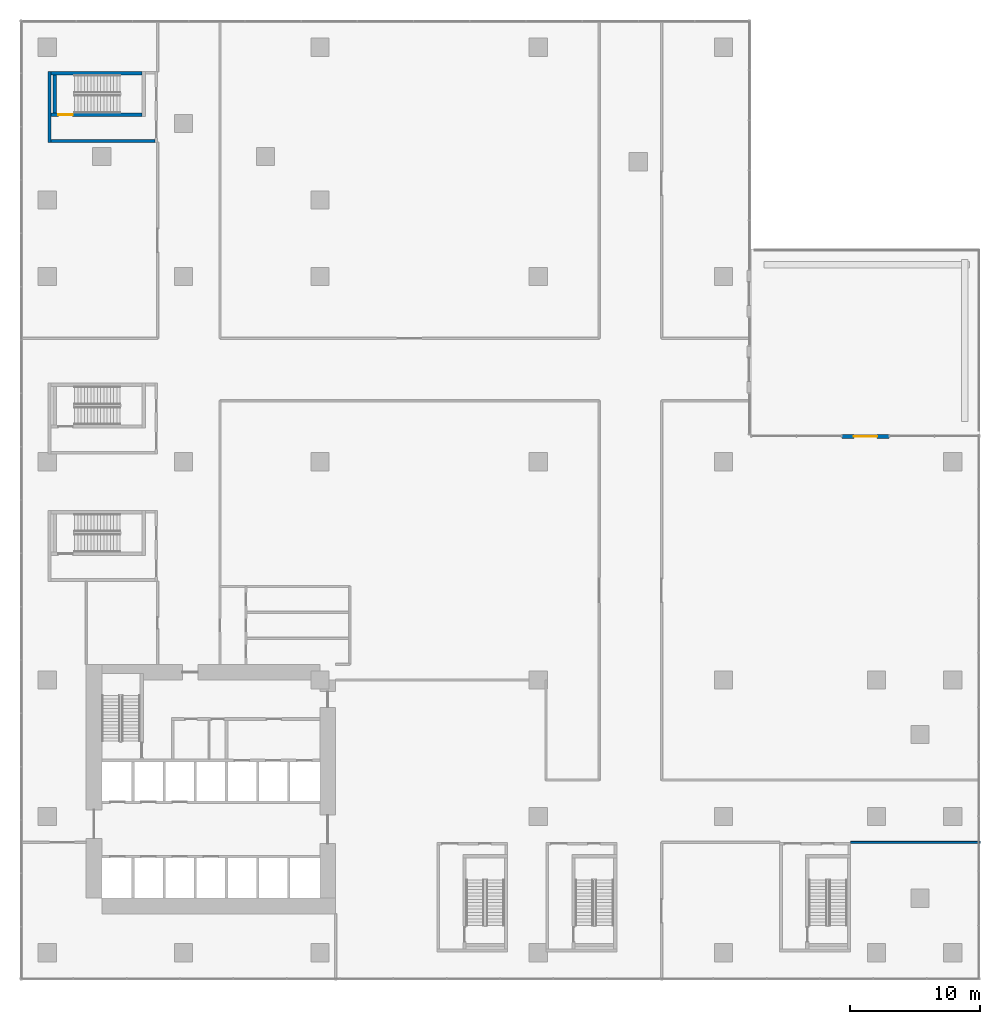
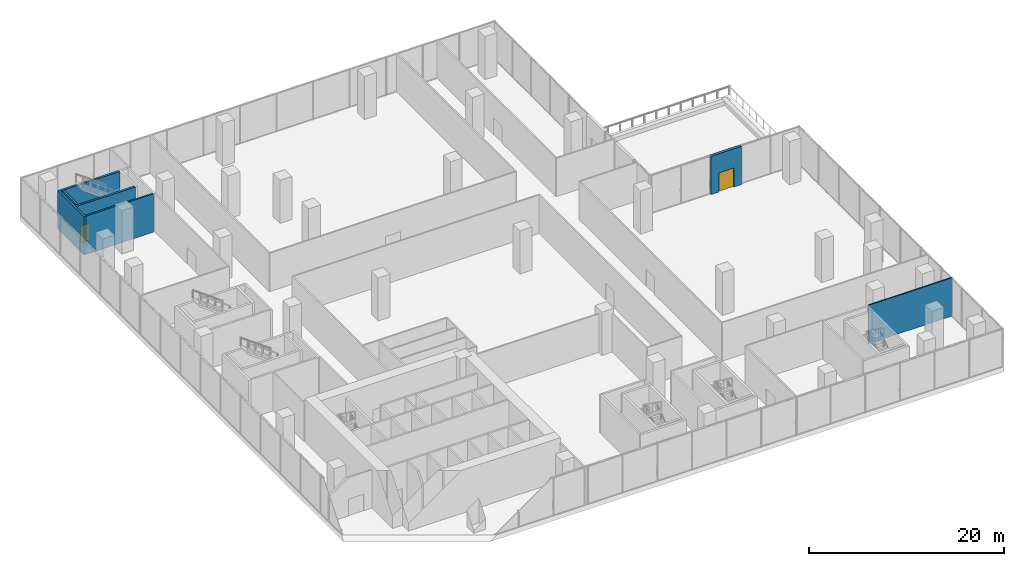
# One storey, part 16 of 23: 7 walls, 2 doors, 2 openings.
"""IFC4 building model written with IfcOpenShell, lengths in metres."""

from ifc_helpers import new_model, si_unit, direction, frame, frame_2d, origin, place, context, subcontext, project, spatial, rectangle, extrude, source, transform, mapped, material, layer, layer_set, type_object, element, fill, save


model = new_model("IFC4")

# Units and contexts
model_context = context("Model", 3, precision=1e-05, world=origin(), true_north=direction((0.0, 1.0)))
body_context = subcontext(model_context, "Body", "Model", "MODEL_VIEW")
ifc_project = project(units=[si_unit("LENGTHUNIT", "METRE"), si_unit("AREAUNIT", "SQUARE_METRE"), si_unit("VOLUMEUNIT", "CUBIC_METRE"), si_unit("PLANEANGLEUNIT", "RADIAN"), si_unit("MASSUNIT", "GRAM", prefix="KILO")], contexts=[model_context])

# Site, building, storey
site_placement = place(None, origin())
site = spatial("IfcSite", under=ifc_project, at=site_placement, CompositionType="ELEMENT")
building_placement = place(site_placement, origin())
building = spatial("IfcBuilding", under=site, at=building_placement, Name="Aurelian Terraces", CompositionType="ELEMENT")
storey_placement = place(building_placement, frame((0.0, 0.0, 23.7)))
storey = spatial("IfcBuildingStorey", under=building, at=storey_placement, Name="L04", CompositionType="ELEMENT", Elevation=23.7)

# Wall, opening, door
ifc_material_1 = material(Name="Terracotta rainscreen cladding", Category="masonry")
ifc_layer_1 = layer(ifc_material_1, 0.3)
ifc_layer_set_1 = layer_set([ifc_layer_1], Name="EW-300")
wall_type_1 = type_object("IfcWallType", Name="EW-300", PredefinedType="STANDARD", material=ifc_layer_set_1)
shared_shape_1 = source(origin(), body_context, "Body", "SweptSolid", [
    extrude(rectangle(XDim=3.6, YDim=0.3, at=frame_2d((1.8, 0.0))), origin(), (0.0, 0.0, 1.0), 4.8),
])
wall_1_placement = place(storey_placement, frame((64.8, 39.75, 0.0), z_axis=(0.0, 0.0, 1.0), x_axis=(-1.0, 0.0, 0.0)))
wall_1 = element("IfcWall", 1, at=wall_1_placement, inside=storey, type_object=wall_type_1, Name="Terrace wall L04 F03", PredefinedType="STANDARD", context=body_context, shape_type="MappedRepresentation", body=[
    mapped(shared_shape_1, transform((0.0, 0.0, 0.0), scale=1.0)),
])
shared_shape_2 = source(origin(), body_context, "Body", "SweptSolid", [
    extrude(rectangle(XDim=1.8, YDim=2.4, at=frame_2d((0.9, 1.2))), frame((0.0, 0.16, 0.0), z_axis=(0.0, -1.0, 0.0), x_axis=(1.0, 0.0, 0.0)), (0.0, 0.0, 1.0), 0.32),
])
opening_1_placement = place(wall_1_placement, frame((0.9, 0.0, 0.0)))
opening_1 = element("IfcOpeningElement", 2, at=opening_1_placement, cuts=wall_1, Name="Opening 80401", PredefinedType="OPENING", context=body_context, shape_type="MappedRepresentation", body=[
    mapped(shared_shape_2, transform((0.0, 0.0, 0.0), scale=1.0)),
])
ifc_material_2 = material(Name="Clear glazing", Category="glass")
door_type_1 = type_object("IfcDoorType", Name="BD-1800x2400", OperationType="SLIDING_TO_LEFT", PredefinedType="DOOR", material=ifc_material_2)
shared_shape_3 = source(origin(), body_context, "Body", "SweptSolid", [
    extrude(rectangle(XDim=1.8, YDim=2.4, at=frame_2d((0.9, 1.2))), frame((0.0, 0.025, 0.0), z_axis=(0.0, -1.0, 0.0), x_axis=(1.0, 0.0, 0.0)), (0.0, 0.0, 1.0), 0.05),
])
door_1_placement = place(opening_1_placement, origin())
door_1 = element("IfcDoor", 3, at=door_1_placement, inside=storey, type_object=door_type_1, Name="Terrace door L04 F03", OperationType="SLIDING_TO_LEFT", OverallHeight=2.4, OverallWidth=1.8, PredefinedType="DOOR", context=body_context, shape_type="MappedRepresentation", body=[
    mapped(shared_shape_3, transform((0.0, 0.0, 0.0), scale=1.0)),
])
fill(opening_1, door_1)

ifc_material_3 = material(Name="Concrete fc' 40 MPa", Category="concrete")
ifc_layer_2 = layer(ifc_material_3, 0.25)
ifc_layer_set_2 = layer_set([ifc_layer_2], Name="Stair enclosure wall 250")
wall_type_2 = type_object("IfcWallType", Name="Stair enclosure wall 250", PredefinedType="SOLIDWALL", material=ifc_layer_set_2)
shared_shape_4 = source(origin(), body_context, "Body", "SweptSolid", [
    extrude(rectangle(XDim=7.0, YDim=0.25, at=frame_2d((3.5, 0.0))), origin(), (0.0, 0.0, 1.0), 4.8),
])
wall_2_placement = place(storey_placement, frame((0.3, 64.525, 0.0), z_axis=(0.0, 0.0, 1.0), x_axis=(1.0, 0.0, 0.0)))
wall_2 = element("IfcWall", 4, at=wall_2_placement, inside=storey, type_object=wall_type_2, Name="L04 core wall ST-S5-W", PredefinedType="SOLIDWALL", context=body_context, shape_type="MappedRepresentation", body=[
    mapped(shared_shape_4, transform((0.0, 0.0, 0.0), scale=1.0)),
])
shared_shape_5 = source(origin(), body_context, "Body", "SweptSolid", [
    extrude(rectangle(XDim=1.1, YDim=2.1, at=frame_2d((0.55, 1.05))), frame((0.0, 0.135, 0.0), z_axis=(0.0, -1.0, 0.0), x_axis=(1.0, 0.0, 0.0)), (0.0, 0.0, 1.0), 0.27),
])
opening_2_placement = place(wall_2_placement, frame((0.55, 0.0, 0.0)))
opening_2 = element("IfcOpeningElement", 5, at=opening_2_placement, cuts=wall_2, Name="Opening 60723", PredefinedType="OPENING", context=body_context, shape_type="MappedRepresentation", body=[
    mapped(shared_shape_5, transform((0.0, 0.0, 0.0), scale=1.0)),
])
ifc_material_4 = material(Name="Steel door leaf", Category="steel")
door_type_2 = type_object("IfcDoorType", Name="Core fire door 1100x2100", OperationType="SINGLE_SWING_LEFT", PredefinedType="DOOR", material=ifc_material_4)
shared_shape_6 = source(origin(), body_context, "Body", "SweptSolid", [
    extrude(rectangle(XDim=1.1, YDim=2.1, at=frame_2d((0.55, 1.05))), frame((0.0, 0.025, 0.0), z_axis=(0.0, -1.0, 0.0), x_axis=(1.0, 0.0, 0.0)), (0.0, 0.0, 1.0), 0.05),
])
door_2_placement = place(opening_2_placement, origin())
door_2 = element("IfcDoor", 6, at=door_2_placement, inside=storey, type_object=door_type_2, Name="Stair door 60723", OperationType="SINGLE_SWING_LEFT", OverallHeight=2.1, OverallWidth=1.1, PredefinedType="DOOR", context=body_context, shape_type="MappedRepresentation", body=[
    mapped(shared_shape_6, transform((0.0, 0.0, 0.0), scale=1.0)),
])
fill(opening_2, door_2)

# Walls
wall_3_placement = place(storey_placement, frame((0.3, 67.725, 0.0), z_axis=(0.0, 0.0, 1.0), x_axis=(1.0, 0.0, 0.0)))
element("IfcWall", 7, at=wall_3_placement, inside=storey, type_object=wall_type_2, Name="L04 core wall ST-S5-E", PredefinedType="SOLIDWALL", context=body_context, shape_type="MappedRepresentation", body=[
    mapped(shared_shape_4, transform((0.0, 0.0, 0.0), scale=1.0)),
])
shared_shape_7 = source(origin(), body_context, "Body", "SweptSolid", [
    extrude(rectangle(XDim=2.95, YDim=0.25, at=frame_2d((1.475, 0.0))), origin(), (0.0, 0.0, 1.0), 4.8),
])
wall_4_placement = place(storey_placement, frame((0.575, 64.65, 0.0), z_axis=(0.0, 0.0, 1.0), x_axis=(0.0, 1.0, 0.0)))
element("IfcWall", 8, at=wall_4_placement, inside=storey, type_object=wall_type_2, Name="L04 core wall ST-S5-SS", PredefinedType="SOLIDWALL", context=body_context, shape_type="MappedRepresentation", body=[
    mapped(shared_shape_7, transform((0.0, 0.0, 0.0), scale=1.0)),
])
ifc_material_5 = material(Name="Gypsum board on steel studs", Category="steel")
ifc_layer_3 = layer(ifc_material_5, 0.2)
ifc_layer_set_3 = layer_set([ifc_layer_3], Name="Core partition 200")
wall_type_3 = type_object("IfcWallType", Name="Core partition 200", PredefinedType="PARTITIONING", material=ifc_layer_set_3)
shared_shape_8 = source(origin(), body_context, "Body", "SweptSolid", [
    extrude(rectangle(XDim=8.0, YDim=0.2, at=frame_2d((4.0, 0.0))), origin(), (0.0, 0.0, 1.0), 4.8),
])
wall_5_placement = place(storey_placement, frame((0.3, 62.5, 0.0), z_axis=(0.0, 0.0, 1.0), x_axis=(1.0, 0.0, 0.0)))
element("IfcWall", 9, at=wall_5_placement, inside=storey, type_object=wall_type_3, Name="L04 core wall ST-S5-VW", PredefinedType="PARTITIONING", context=body_context, shape_type="MappedRepresentation", body=[
    mapped(shared_shape_8, transform((0.0, 0.0, 0.0), scale=1.0)),
])
shared_shape_9 = source(origin(), body_context, "Body", "SweptSolid", [
    extrude(rectangle(XDim=5.45, YDim=0.25, at=frame_2d((2.725, 0.0))), origin(), (0.0, 0.0, 1.0), 4.8),
])
wall_6_placement = place(storey_placement, frame((0.175, 62.4, 0.0), z_axis=(0.0, 0.0, 1.0), x_axis=(0.0, 1.0, 0.0)))
element("IfcWall", 10, at=wall_6_placement, inside=storey, type_object=wall_type_2, Name="L04 core wall ST-S5-S", PredefinedType="SOLIDWALL", context=body_context, shape_type="MappedRepresentation", body=[
    mapped(shared_shape_9, transform((0.0, 0.0, 0.0), scale=1.0)),
])
ifc_layer_4 = layer(ifc_material_5, 0.15)
ifc_layer_set_4 = layer_set([ifc_layer_4], Name="Special partition 150")
wall_type_4 = type_object("IfcWallType", Name="Special partition 150", PredefinedType="PARTITIONING", material=ifc_layer_set_4)
shared_shape_10 = source(origin(), body_context, "Body", "SweptSolid", [
    extrude(rectangle(XDim=9.97, YDim=0.15, at=frame_2d((4.985, 0.0))), origin(), (0.0, 0.0, 1.0), 4.8),
])
wall_7_placement = place(storey_placement, frame((61.85, 8.5, 0.0), z_axis=(0.0, 0.0, 1.0), x_axis=(1.0, 0.0, 0.0)))
element("IfcWall", 11, at=wall_7_placement, inside=storey, type_object=wall_type_4, Name="L04 partition W03", PredefinedType="PARTITIONING", context=body_context, shape_type="MappedRepresentation", body=[
    mapped(shared_shape_10, transform((0.0, 0.0, 0.0), scale=1.0)),
])

save(model, "model.ifc")
